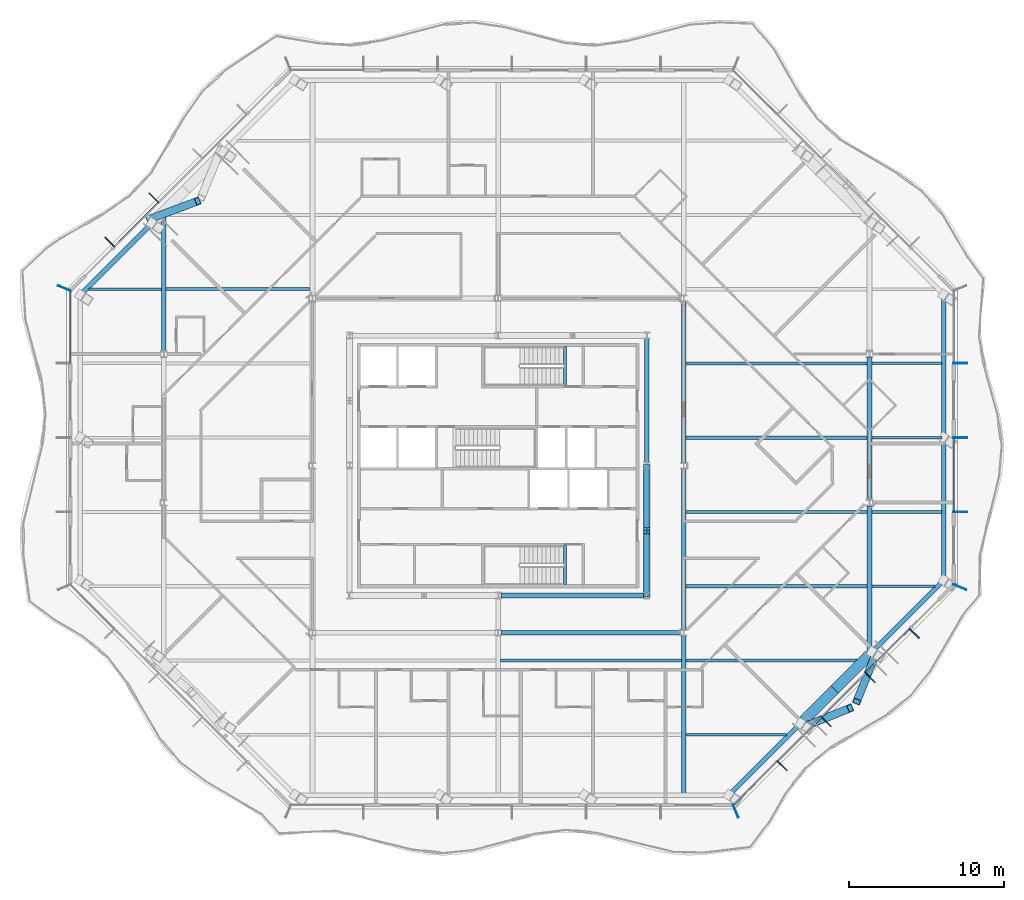
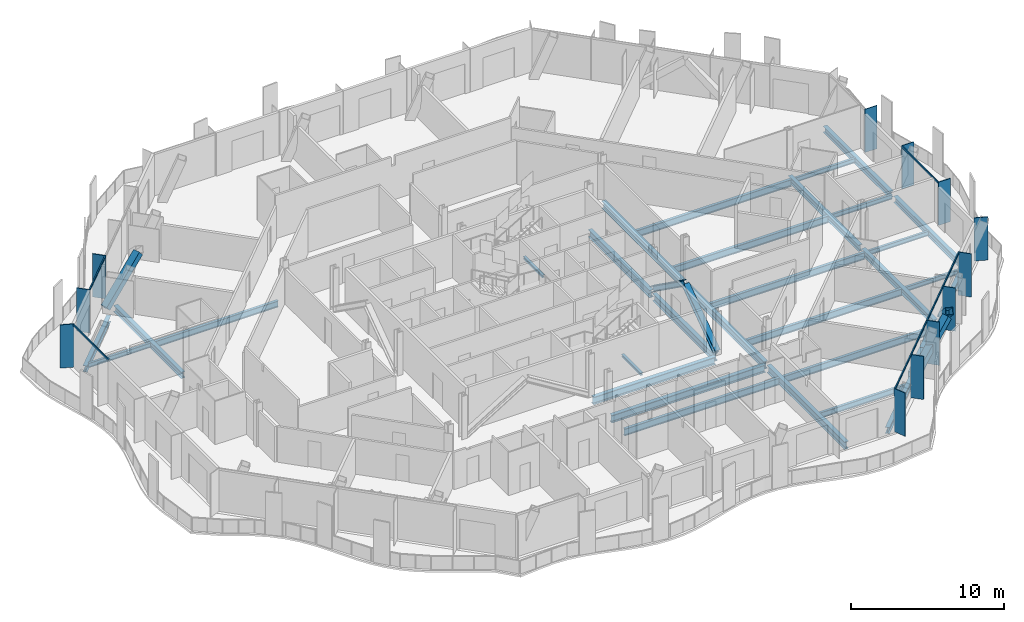
# One storey, part 4 of 21: 32 beams, 24 members, 4 elements without a shape of their own.
"""IFC4 building model written with IfcOpenShell, lengths in metres."""

from ifc_helpers import new_model, si_unit, direction, frame, origin, origin_2d, place, context, subcontext, project, spatial, rectangle, hollow_rectangle, i_section, extrude, material, material_profile, profile_set, type_object, element, aggregate, save


model = new_model("IFC4")

# Units and contexts
model_context = context("Model", 3, precision=1e-05, world=origin(), true_north=direction((0.0, 1.0)))
body_context = subcontext(model_context, "Body", "Model", "MODEL_VIEW")
ifc_project = project(units=[si_unit("LENGTHUNIT", "METRE"), si_unit("AREAUNIT", "SQUARE_METRE"), si_unit("VOLUMEUNIT", "CUBIC_METRE"), si_unit("PLANEANGLEUNIT", "RADIAN"), si_unit("MASSUNIT", "GRAM", prefix="KILO")], contexts=[model_context])

# Site, building, storey
site_placement = place(None, origin())
site = spatial("IfcSite", under=ifc_project, at=site_placement, CompositionType="ELEMENT")
building_placement = place(site_placement, origin())
building = spatial("IfcBuilding", under=site, at=building_placement, Name="Cairn Pilgrim Tower", CompositionType="ELEMENT")
storey_placement = place(building_placement, frame((0.0, 0.0, 179.39990234375)))
storey = spatial("IfcBuildingStorey", under=building, at=storey_placement, Name="L45", CompositionType="ELEMENT", Elevation=179.39990234375)

# Members
ifc_material_1 = material(Name="Structural steel S460M", Category="steel")
ifc_material_profile_1 = material_profile(ifc_material_1, hollow_rectangle(XDim=0.5, YDim=0.5, WallThickness=0.030029296875, at=origin_2d()), Name="BOX 500x500x30")
ifc_profile_set_1 = profile_set([ifc_material_profile_1], Name="Structural steel S460M")
member_type_1 = type_object("IfcMemberType", Name="BOX 500x500x30 BRACE", PredefinedType="BRACE", material=ifc_profile_set_1)
for number, where, z_axis, x_axis, name in (
    (1, (27.0166015625, -14.4560546875, 0.150146484375), (0.716089270228, 0.287769739998, 0.6359282458), (-0.372880357025, 0.92787943147, 0.0), "XB-SE2-SE3-1"),
    (2, (31.555908203125, -9.91650390625, 0.150146484375), (-0.287715115432, -0.716101541701, 0.63593914357), (0.927906129391, -0.372813914761, 0.0), "XB-SE2-SE3-2"),
):
    element("IfcMember", number, at=place(storey_placement, frame(where, z_axis=z_axis, x_axis=x_axis)), inside=storey, type_object=member_type_1, Name=name, PredefinedType="BRACE", context=body_context, shape_type="SweptSolid", body=[
        extrude(hollow_rectangle(XDim=0.5, YDim=0.5, WallThickness=0.030029296875, at=origin_2d()), origin(), (0.0, 0.0, 1.0), 4.099365234375),
    ])
member_1_placement = place(storey_placement, frame((-15.35595703125, 18.316650390625, 0.150146484375), z_axis=(0.737882486029, 0.275960248778, 0.615934556512), x_axis=(-0.350293458392, 0.936640001819, 0.0)))
element("IfcMember", 3, at=member_1_placement, inside=storey, type_object=member_type_1, Name="XB-NW2-NW3-2", PredefinedType="BRACE", context=body_context, shape_type="SweptSolid", body=[
    extrude(hollow_rectangle(XDim=0.5, YDim=0.5, WallThickness=0.030029296875, at=origin_2d()), origin(), (0.0, 0.0, 1.0), 4.25634765625),
])

# Beams
ifc_material_2 = material(Name="Structural steel S355J2", Category="steel")
ifc_material_profile_2 = material_profile(ifc_material_2, hollow_rectangle(XDim=0.699951171875, YDim=0.800048828125, WallThickness=0.0400390625, at=origin_2d()), Name="BOX 700x800x40")
ifc_profile_set_2 = profile_set([ifc_material_profile_2], Name="Structural steel S355J2")
beam_type_1 = type_object("IfcBeamType", Name="BOX 700x800x40 RING GIRDER", PredefinedType="SPANDREL", material=ifc_profile_set_2)
beam_1_placement = place(storey_placement, frame((26.9423828125, -14.084716796875, -0.5498046875), z_axis=(0.707149752034, 0.707063807728, 0.0), x_axis=(-0.707063807728, 0.707149752034, 0.0)))
element("IfcBeam", 4, at=beam_1_placement, inside=storey, type_object=beam_type_1, Name="RG2-SE2-SE3-1", PredefinedType="SPANDREL", context=body_context, shape_type="SweptSolid", body=[
    extrude(hollow_rectangle(XDim=0.699951171875, YDim=0.800048828125, WallThickness=0.0400390625, at=origin_2d()), origin(), (0.0, 0.0, 1.0), 2.840576171875),
])
beam_2_placement = place(storey_placement, frame((28.951171875, -12.076171875, -0.5498046875), z_axis=(0.707068138304, 0.707145421957, 0.0), x_axis=(-0.707145421957, 0.707068138304, 0.0)))
element("IfcBeam", 5, at=beam_2_placement, inside=storey, type_object=beam_type_1, Name="RG2-SE2-SE3-2", PredefinedType="SPANDREL", context=body_context, shape_type="SweptSolid", body=[
    extrude(hollow_rectangle(XDim=0.699951171875, YDim=0.800048828125, WallThickness=0.0400390625, at=origin_2d()), origin(), (0.0, 0.0, 1.0), 3.158935546875),
])

# Curtain wall, members
ifc_material_3 = material(Name="Aluminium alloy 6063-T6 bronze anodised with Bronze tinted laminated low-E glass 8+16+8.8", Category="aluminium")
curtain_wall_type_1 = type_object("IfcCurtainWallType", Name="CHAMFER CORNER CURTAIN WALL", PredefinedType="NOTDEFINED", material=ifc_material_3)
curtain_wall_1_placement = place(storey_placement, origin())
curtain_wall_1 = element("IfcCurtainWall", 6, at=curtain_wall_1_placement, inside=storey, type_object=curtain_wall_type_1, Name="Chamfer Corner Curtain Wall SE", PredefinedType="NOTDEFINED")
ifc_material_4 = material(Name="Aluminium alloy 6063-T6 bronze anodised", Category="aluminium")
ifc_material_profile_3 = material_profile(ifc_material_4, rectangle(XDim=0.89990234375, YDim=0.06005859375, at=origin_2d()), Name="FIN MULLION 60x900 BRONZE")
ifc_profile_set_3 = profile_set([ifc_material_profile_3], Name="Aluminium alloy 6063-T6 bronze anodised")
member_type_2 = type_object("IfcMemberType", Name="FIN MULLION 60x900 BRONZE", PredefinedType="MULLION", material=ifc_profile_set_3)
member_2_placement = place(storey_placement, frame((22.55712890625, -19.93798828125, 0.0), z_axis=(0.0, 0.0, 1.0), x_axis=(0.382683432365, -0.923879532511, 0.0)))
member_2 = element("IfcMember", 7, at=member_2_placement, type_object=member_type_2, Name="Fin mullion SE1", PredefinedType="MULLION", context=body_context, shape_type="SweptSolid", body=[
    extrude(rectangle(XDim=0.89990234375, YDim=0.06005859375, at=origin_2d()), origin(), (0.0, 0.0, 1.0), 3.4501953125),
])
member_3_placement = place(storey_placement, frame((25.544189453125, -16.996337890625, 0.0), z_axis=(0.0, 0.0, 1.0), x_axis=(0.707106781187, -0.707106781187, 0.0)))
member_3 = element("IfcMember", 8, at=member_3_placement, type_object=member_type_2, Name="Fin mullion SE2", PredefinedType="MULLION", context=body_context, shape_type="SweptSolid", body=[
    extrude(rectangle(XDim=0.89990234375, YDim=0.06005859375, at=origin_2d()), origin(), (0.0, 0.0, 1.0), 3.4501953125),
])
member_4_placement = place(storey_placement, frame((28.394775390625, -14.1455078125, 0.0), z_axis=(0.0, 0.0, 1.0), x_axis=(0.707106781187, -0.707106781187, 0.0)))
member_4 = element("IfcMember", 9, at=member_4_placement, type_object=member_type_2, Name="Fin mullion SE3", PredefinedType="MULLION", context=body_context, shape_type="SweptSolid", body=[
    extrude(rectangle(XDim=0.89990234375, YDim=0.06005859375, at=origin_2d()), origin(), (0.0, 0.0, 1.0), 3.4501953125),
])
member_5_placement = place(storey_placement, frame((31.24560546875, -11.294921875, 0.0), z_axis=(0.0, 0.0, 1.0), x_axis=(0.707106781187, -0.707106781187, 0.0)))
member_5 = element("IfcMember", 10, at=member_5_placement, type_object=member_type_2, Name="Fin mullion SE4", PredefinedType="MULLION", context=body_context, shape_type="SweptSolid", body=[
    extrude(rectangle(XDim=0.89990234375, YDim=0.06005859375, at=origin_2d()), origin(), (0.0, 0.0, 1.0), 3.4501953125),
])
member_6_placement = place(storey_placement, frame((34.09619140625, -8.444091796875, 0.0), z_axis=(0.0, 0.0, 1.0), x_axis=(0.707106781187, -0.707106781187, 0.0)))
member_6 = element("IfcMember", 11, at=member_6_placement, type_object=member_type_2, Name="Fin mullion SE5", PredefinedType="MULLION", context=body_context, shape_type="SweptSolid", body=[
    extrude(rectangle(XDim=0.89990234375, YDim=0.06005859375, at=origin_2d()), origin(), (0.0, 0.0, 1.0), 3.4501953125),
])

curtain_wall_type_2 = type_object("IfcCurtainWallType", Name="TOWER STICK CURTAIN WALL EW", PredefinedType="NOTDEFINED", material=ifc_material_3)
curtain_wall_2_placement = place(storey_placement, origin())
curtain_wall_2 = element("IfcCurtainWall", 12, at=curtain_wall_2_placement, inside=storey, type_object=curtain_wall_type_2, Name="Tower Stick Curtain Wall Ew E", PredefinedType="NOTDEFINED")
member_7_placement = place(storey_placement, frame((37.0380859375, -5.457275390625, 0.0), z_axis=(0.0, 0.0, 1.0), x_axis=(0.923879532511, -0.382683432365, 0.0)))
member_7 = element("IfcMember", 13, at=member_7_placement, type_object=member_type_2, Name="Fin mullion E1", PredefinedType="MULLION", context=body_context, shape_type="SweptSolid", body=[
    extrude(rectangle(XDim=0.89990234375, YDim=0.06005859375, at=origin_2d()), origin(), (0.0, 0.0, 1.0), 3.4501953125),
])
member_8_placement = place(storey_placement, frame((37.070068359375, -0.60009765625, 0.0), z_axis=(0.0, 0.0, 1.0), x_axis=(1.0, 0.0, 0.0)))
member_8 = element("IfcMember", 14, at=member_8_placement, type_object=member_type_2, Name="Fin mullion E2", PredefinedType="MULLION", context=body_context, shape_type="SweptSolid", body=[
    extrude(rectangle(XDim=0.89990234375, YDim=0.06005859375, at=origin_2d()), origin(), (0.0, 0.0, 1.0), 3.4501953125),
])
member_9_placement = place(storey_placement, frame((37.070068359375, 4.199951171875, 0.0), z_axis=(0.0, 0.0, 1.0), x_axis=(1.0, 0.0, 0.0)))
member_9 = element("IfcMember", 15, at=member_9_placement, type_object=member_type_2, Name="Fin mullion E3", PredefinedType="MULLION", context=body_context, shape_type="SweptSolid", body=[
    extrude(rectangle(XDim=0.89990234375, YDim=0.06005859375, at=origin_2d()), origin(), (0.0, 0.0, 1.0), 3.4501953125),
])
member_10_placement = place(storey_placement, frame((37.070068359375, 9.0, 0.0), z_axis=(0.0, 0.0, 1.0), x_axis=(1.0, 0.0, 0.0)))
member_10 = element("IfcMember", 16, at=member_10_placement, type_object=member_type_2, Name="Fin mullion E4", PredefinedType="MULLION", context=body_context, shape_type="SweptSolid", body=[
    extrude(rectangle(XDim=0.89990234375, YDim=0.06005859375, at=origin_2d()), origin(), (0.0, 0.0, 1.0), 3.4501953125),
])

curtain_wall_3_placement = place(storey_placement, origin())
curtain_wall_3 = element("IfcCurtainWall", 17, at=curtain_wall_3_placement, inside=storey, type_object=curtain_wall_type_1, Name="Chamfer Corner Curtain Wall NW", PredefinedType="NOTDEFINED")
member_11_placement = place(storey_placement, frame((-15.045654296875, 19.69482421875, 0.0), z_axis=(0.0, 0.0, 1.0), x_axis=(-0.707106781187, 0.707106781187, 0.0)))
member_11 = element("IfcMember", 18, at=member_11_placement, type_object=member_type_2, Name="Fin mullion NW4", PredefinedType="MULLION", context=body_context, shape_type="SweptSolid", body=[
    extrude(rectangle(XDim=0.89990234375, YDim=0.06005859375, at=origin_2d()), origin(), (0.0, 0.0, 1.0), 3.4501953125),
])
member_12_placement = place(storey_placement, frame((-17.896240234375, 16.84423828125, 0.0), z_axis=(0.0, 0.0, 1.0), x_axis=(-0.707106781187, 0.707106781187, 0.0)))
member_12 = element("IfcMember", 19, at=member_12_placement, type_object=member_type_2, Name="Fin mullion NW5", PredefinedType="MULLION", context=body_context, shape_type="SweptSolid", body=[
    extrude(rectangle(XDim=0.89990234375, YDim=0.06005859375, at=origin_2d()), origin(), (0.0, 0.0, 1.0), 3.4501953125),
])

# Curtain wall, member
curtain_wall_4_placement = place(storey_placement, origin())
curtain_wall_4 = element("IfcCurtainWall", 20, at=curtain_wall_4_placement, inside=storey, type_object=curtain_wall_type_2, Name="Tower Stick Curtain Wall Ew W", PredefinedType="NOTDEFINED")
member_13_placement = place(storey_placement, frame((-20.838134765625, 13.857177734375, 0.0), z_axis=(0.0, 0.0, 1.0), x_axis=(-0.923879532511, 0.382683432365, 0.0)))
member_13 = element("IfcMember", 21, at=member_13_placement, type_object=member_type_2, Name="Fin mullion W1", PredefinedType="MULLION", context=body_context, shape_type="SweptSolid", body=[
    extrude(rectangle(XDim=0.89990234375, YDim=0.06005859375, at=origin_2d()), origin(), (0.0, 0.0, 1.0), 3.4501953125),
])

# Members
ifc_material_profile_4 = material_profile(ifc_material_1, i_section(OverallWidth=0.408935546875, OverallDepth=0.425048828125, WebThickness=0.03271484375, FlangeThickness=0.052490234375, FilletRadius=0.014892578125, at=origin_2d()), Name="HD 400x421")
ifc_profile_set_4 = profile_set([ifc_material_profile_4], Name="Structural steel S460M")
member_type_3 = type_object("IfcMemberType", Name="HD 400x421 BRACE", PredefinedType="BRACE", material=ifc_profile_set_4)
member_14_placement = place(storey_placement, frame((16.800048828125, -5.95849609375, 0.10009765625), z_axis=(0.0, 0.814346882511, 0.580378458373), x_axis=(-1.0, 0.0, 0.0)))
element("IfcMember", 22, at=member_14_placement, inside=storey, type_object=member_type_3, Name="KB-2A", PredefinedType="BRACE", context=body_context, shape_type="SweptSolid", body=[
    extrude(i_section(OverallWidth=0.408935546875, OverallDepth=0.425048828125, WebThickness=0.03271484375, FlangeThickness=0.052490234375, FilletRadius=0.014892578125, at=origin_2d()), origin(), (0.0, 0.0, 1.0), 4.998291015625),
])
member_15_placement = place(storey_placement, frame((16.800048828125, 2.3583984375, 0.10009765625), z_axis=(0.0, -0.81433042856, 0.580401544727), x_axis=(1.0, 0.0, 0.0)))
element("IfcMember", 23, at=member_15_placement, inside=storey, type_object=member_type_3, Name="KB-2B", PredefinedType="BRACE", context=body_context, shape_type="SweptSolid", body=[
    extrude(i_section(OverallWidth=0.408935546875, OverallDepth=0.425048828125, WebThickness=0.03271484375, FlangeThickness=0.052490234375, FilletRadius=0.014892578125, at=origin_2d()), origin(), (0.0, 0.0, 1.0), 4.998046875),
])

# Beams
ifc_material_profile_5 = material_profile(ifc_material_2, i_section(OverallWidth=0.300048828125, OverallDepth=0.5, WebThickness=0.014404296875, FlangeThickness=0.028076171875, FilletRadius=0.027099609375, at=origin_2d()), Name="HEB 500")
ifc_profile_set_5 = profile_set([ifc_material_profile_5], Name="Structural steel S355J2")
beam_type_2 = type_object("IfcBeamType", Name="HEB 500 GIRDER", PredefinedType="BEAM", material=ifc_profile_set_5)
beam_3_placement = place(storey_placement, frame((-14.39990234375, 9.799560546875, -0.39990234375), z_axis=(0.0, 1.0, 0.0), x_axis=(-1.0, 0.0, 0.0)))
element("IfcBeam", 24, at=beam_3_placement, inside=storey, type_object=beam_type_2, Name="PG1-3", PredefinedType="BEAM", context=body_context, shape_type="SweptSolid", body=[
    extrude(i_section(OverallWidth=0.300048828125, OverallDepth=0.5, WebThickness=0.014404296875, FlangeThickness=0.028076171875, FilletRadius=0.027099609375, at=origin_2d()), origin(), (0.0, 0.0, 1.0), 8.845458984375),
])
beam_4_placement = place(storey_placement, frame((31.199951171875, -9.64501953125, -0.39990234375), z_axis=(0.0, 1.0, 0.0), x_axis=(-1.0, 0.0, 0.0)))
element("IfcBeam", 25, at=beam_4_placement, inside=storey, type_object=beam_type_2, Name="PG5-1", PredefinedType="BEAM", context=body_context, shape_type="SweptSolid", body=[
    extrude(i_section(OverallWidth=0.300048828125, OverallDepth=0.5, WebThickness=0.014404296875, FlangeThickness=0.028076171875, FilletRadius=0.027099609375, at=origin_2d()), origin(), (0.0, 0.0, 1.0), 9.4404296875),
])
beam_5_placement = place(storey_placement, frame((31.199951171875, 0.20458984375, -0.39990234375), z_axis=(0.0, 1.0, 0.0), x_axis=(-1.0, 0.0, 0.0)))
element("IfcBeam", 26, at=beam_5_placement, inside=storey, type_object=beam_type_2, Name="PG5-2", PredefinedType="BEAM", context=body_context, shape_type="SweptSolid", body=[
    extrude(i_section(OverallWidth=0.300048828125, OverallDepth=0.5, WebThickness=0.014404296875, FlangeThickness=0.028076171875, FilletRadius=0.027099609375, at=origin_2d()), origin(), (0.0, 0.0, 1.0), 9.19091796875),
])
ifc_material_profile_6 = material_profile(ifc_material_2, i_section(OverallWidth=0.300048828125, OverallDepth=0.5, WebThickness=0.014404296875, FlangeThickness=0.028076171875, FilletRadius=0.027099609375, at=origin_2d()), Name="HEB 500")
ifc_profile_set_6 = profile_set([ifc_material_profile_6], Name="Structural steel S355J2")
beam_type_3 = type_object("IfcBeamType", Name="HEB 500 RING GIRDER", PredefinedType="SPANDREL", material=ifc_profile_set_6)
beam_6_placement = place(storey_placement, frame((22.318115234375, -18.708984375, -0.39990234375), z_axis=(0.707127127534, 0.707086434254, 0.0), x_axis=(-0.707086434254, 0.707127127534, 0.0)))
element("IfcBeam", 27, at=beam_6_placement, inside=storey, type_object=beam_type_3, Name="RG2-SE1-SE2", PredefinedType="SPANDREL", context=body_context, shape_type="SweptSolid", body=[
    extrude(i_section(OverallWidth=0.300048828125, OverallDepth=0.5, WebThickness=0.014404296875, FlangeThickness=0.028076171875, FilletRadius=0.027099609375, at=origin_2d()), origin(), (0.0, 0.0, 1.0), 5.99951171875),
])
beam_7_placement = place(storey_placement, frame((31.566650390625, -9.460693359375, -0.39990234375), z_axis=(0.707086435425, 0.707127126363, 0.0), x_axis=(-0.707127126363, 0.707086435425, 0.0)))
element("IfcBeam", 28, at=beam_7_placement, inside=storey, type_object=beam_type_3, Name="RG2-SE3-E1", PredefinedType="SPANDREL", context=body_context, shape_type="SweptSolid", body=[
    extrude(i_section(OverallWidth=0.300048828125, OverallDepth=0.5, WebThickness=0.014404296875, FlangeThickness=0.028076171875, FilletRadius=0.027099609375, at=origin_2d()), origin(), (0.0, 0.0, 1.0), 5.999755859375),
])
beam_8_placement = place(storey_placement, frame((36.0, -4.757080078125, -0.39990234375), z_axis=(0.0, 1.0, 0.0), x_axis=(-1.0, 0.0, 0.0)))
element("IfcBeam", 29, at=beam_8_placement, inside=storey, type_object=beam_type_3, Name="RG2-E1-E2", PredefinedType="SPANDREL", context=body_context, shape_type="SweptSolid", body=[
    extrude(i_section(OverallWidth=0.300048828125, OverallDepth=0.5, WebThickness=0.014404296875, FlangeThickness=0.028076171875, FilletRadius=0.027099609375, at=origin_2d()), origin(), (0.0, 0.0, 1.0), 8.68701171875),
])
beam_9_placement = place(storey_placement, frame((36.0, 4.469970703125, -0.39990234375), z_axis=(0.0, 1.0, 0.0), x_axis=(-1.0, 0.0, 0.0)))
element("IfcBeam", 30, at=beam_9_placement, inside=storey, type_object=beam_type_3, Name="RG2-E2-NE1", PredefinedType="SPANDREL", context=body_context, shape_type="SweptSolid", body=[
    extrude(i_section(OverallWidth=0.300048828125, OverallDepth=0.5, WebThickness=0.014404296875, FlangeThickness=0.028076171875, FilletRadius=0.027099609375, at=origin_2d()), origin(), (0.0, 0.0, 1.0), 8.687255859375),
])
beam_10_placement = place(storey_placement, frame((-15.36669921875, 17.860595703125, -0.39990234375), z_axis=(-0.707106781187, -0.707106781187, 0.0), x_axis=(0.707106781187, -0.707106781187, 0.0)))
element("IfcBeam", 31, at=beam_10_placement, inside=storey, type_object=beam_type_3, Name="RG2-NW3-W1", PredefinedType="SPANDREL", context=body_context, shape_type="SweptSolid", body=[
    extrude(i_section(OverallWidth=0.300048828125, OverallDepth=0.5, WebThickness=0.014404296875, FlangeThickness=0.028076171875, FilletRadius=0.027099609375, at=origin_2d()), origin(), (0.0, 0.0, 1.0), 5.999755859375),
])
ifc_material_profile_7 = material_profile(ifc_material_2, i_section(OverallWidth=0.300048828125, OverallDepth=0.60009765625, WebThickness=0.015380859375, FlangeThickness=0.030029296875, FilletRadius=0.027099609375, at=origin_2d()), Name="HEB 600")
ifc_profile_set_7 = profile_set([ifc_material_profile_7], Name="Structural steel S355J2")
beam_type_4 = type_object("IfcBeamType", Name="HEB 600 CORE BEAM", PredefinedType="BEAM", material=ifc_profile_set_7)
beam_11_placement = place(storey_placement, frame((7.38720703125, -6.0, -0.449951171875), z_axis=(1.0, 0.0, 0.0), x_axis=(0.0, 1.0, 0.0)))
element("IfcBeam", 32, at=beam_11_placement, inside=storey, type_object=beam_type_4, Name="CB-2", PredefinedType="BEAM", context=body_context, shape_type="SweptSolid", body=[
    extrude(i_section(OverallWidth=0.300048828125, OverallDepth=0.60009765625, WebThickness=0.015380859375, FlangeThickness=0.030029296875, FilletRadius=0.027099609375, at=origin_2d()), origin(), (0.0, 0.0, 1.0), 9.2255859375),
])
for number, where, z_axis, x_axis, name in (
    (33, (16.800048828125, -5.812744140625, -0.449951171875), (0.0, 1.0, 0.0), (-1.0, 0.0, 0.0), "CB-3"),
    (34, (16.800048828125, 2.587158203125, -0.449951171875), (0.0, 1.0, 0.0), (-1.0, 0.0, 0.0), "CB-4"),
):
    element("IfcBeam", number, at=place(storey_placement, frame(where, z_axis=z_axis, x_axis=x_axis)), inside=storey, type_object=beam_type_4, Name=name, PredefinedType="BEAM", context=body_context, shape_type="SweptSolid", body=[
        extrude(i_section(OverallWidth=0.300048828125, OverallDepth=0.60009765625, WebThickness=0.015380859375, FlangeThickness=0.030029296875, FilletRadius=0.027099609375, at=origin_2d()), origin(), (0.0, 0.0, 1.0), 8.025634765625),
    ])
ifc_material_profile_8 = material_profile(ifc_material_2, i_section(OverallWidth=0.300048828125, OverallDepth=0.60009765625, WebThickness=0.015380859375, FlangeThickness=0.030029296875, FilletRadius=0.027099609375, at=origin_2d()), Name="HEB 600")
ifc_profile_set_8 = profile_set([ifc_material_profile_8], Name="Structural steel S355J2")
beam_type_5 = type_object("IfcBeamType", Name="HEB 600 GIRDER", PredefinedType="BEAM", material=ifc_profile_set_8)
beam_12_placement = place(storey_placement, frame((19.199951171875, -18.780029296875, -0.449951171875), z_axis=(0.0, 1.0, 0.0), x_axis=(-1.0, 0.0, 0.0)))
element("IfcBeam", 35, at=beam_12_placement, inside=storey, type_object=beam_type_5, Name="PG4-1", PredefinedType="BEAM", context=body_context, shape_type="SweptSolid", body=[
    extrude(i_section(OverallWidth=0.300048828125, OverallDepth=0.60009765625, WebThickness=0.015380859375, FlangeThickness=0.030029296875, FilletRadius=0.027099609375, at=origin_2d()), origin(), (0.0, 0.0, 1.0), 10.180419921875),
])
for number, where, z_axis, x_axis, name in (
    (36, (19.199951171875, -8.200439453125, -0.449951171875), (0.0, 1.0, 0.0), (-1.0, 0.0, 0.0), "PG4-2"),
    (37, (19.199951171875, 2.599609375, -0.449951171875), (0.0, 1.0, 0.0), (-1.0, 0.0, 0.0), "PG4-3"),
):
    element("IfcBeam", number, at=place(storey_placement, frame(where, z_axis=z_axis, x_axis=x_axis)), inside=storey, type_object=beam_type_5, Name=name, PredefinedType="BEAM", context=body_context, shape_type="SweptSolid", body=[
        extrude(i_section(OverallWidth=0.300048828125, OverallDepth=0.60009765625, WebThickness=0.015380859375, FlangeThickness=0.030029296875, FilletRadius=0.027099609375, at=origin_2d()), origin(), (0.0, 0.0, 1.0), 10.40087890625),
    ])
ifc_material_profile_9 = material_profile(ifc_material_2, i_section(OverallWidth=0.300048828125, OverallDepth=0.60009765625, WebThickness=0.015380859375, FlangeThickness=0.030029296875, FilletRadius=0.027099609375, at=origin_2d()), Name="HEB 600")
ifc_profile_set_9 = profile_set([ifc_material_profile_9], Name="Structural steel S355J2")
beam_type_6 = type_object("IfcBeamType", Name="HEB 600 INNER GIRDER", PredefinedType="BEAM", material=ifc_profile_set_9)
beam_13_placement = place(storey_placement, frame((7.3994140625, -8.39990234375, -0.449951171875), z_axis=(1.0, 0.0, 0.0), x_axis=(0.0, 1.0, 0.0)))
element("IfcBeam", 38, at=beam_13_placement, inside=storey, type_object=beam_type_6, Name="IG1-2", PredefinedType="BEAM", context=body_context, shape_type="SweptSolid", body=[
    extrude(i_section(OverallWidth=0.300048828125, OverallDepth=0.60009765625, WebThickness=0.015380859375, FlangeThickness=0.030029296875, FilletRadius=0.027099609375, at=origin_2d()), origin(), (0.0, 0.0, 1.0), 11.60107421875),
])
ifc_material_profile_10 = material_profile(ifc_material_2, i_section(OverallWidth=0.169921875, OverallDepth=0.360107421875, WebThickness=0.008056640625, FlangeThickness=0.0126953125, FilletRadius=0.01806640625, at=origin_2d()), Name="IPE 360")
ifc_profile_set_10 = profile_set([ifc_material_profile_10], Name="Structural steel S355J2")
beam_type_7 = type_object("IfcBeamType", Name="IPE 360 SECONDARY BEAM", PredefinedType="JOIST", material=ifc_profile_set_10)
beam_14_placement = place(storey_placement, frame((31.35009765625, -5.39990234375, -0.329833984375), z_axis=(1.0, 0.0, 0.0), x_axis=(0.0, 1.0, 0.0)))
element("IfcBeam", 39, at=beam_14_placement, inside=storey, type_object=beam_type_7, Name="SB3-4", PredefinedType="JOIST", context=body_context, shape_type="SweptSolid", body=[
    extrude(i_section(OverallWidth=0.169921875, OverallDepth=0.360107421875, WebThickness=0.008056640625, FlangeThickness=0.0126953125, FilletRadius=0.01806640625, at=origin_2d()), origin(), (0.0, 0.0, 1.0), 4.094970703125),
])
for number, where, z_axis, x_axis, name in (
    (40, (31.35009765625, -0.60009765625, -0.329833984375), (1.0, 0.0, 0.0), (0.0, 1.0, 0.0), "SB4-4"),
    (41, (31.35009765625, 4.199951171875, -0.329833984375), (1.0, 0.0, 0.0), (0.0, 1.0, 0.0), "SB5-4"),
    (42, (31.35009765625, 9.0, -0.329833984375), (1.0, 0.0, 0.0), (0.0, 1.0, 0.0), "SB6-4"),
):
    element("IfcBeam", number, at=place(storey_placement, frame(where, z_axis=z_axis, x_axis=x_axis)), inside=storey, type_object=beam_type_7, Name=name, PredefinedType="JOIST", context=body_context, shape_type="SweptSolid", body=[
        extrude(i_section(OverallWidth=0.169921875, OverallDepth=0.360107421875, WebThickness=0.008056640625, FlangeThickness=0.0126953125, FilletRadius=0.01806640625, at=origin_2d()), origin(), (0.0, 0.0, 1.0), 4.52978515625),
    ])
beam_15_placement = place(storey_placement, frame((-19.2451171875, 13.800048828125, -0.329833984375), z_axis=(1.0, 0.0, 0.0), x_axis=(0.0, 1.0, 0.0)))
element("IfcBeam", 43, at=beam_15_placement, inside=storey, type_object=beam_type_7, Name="SB7-1", PredefinedType="JOIST", context=body_context, shape_type="SweptSolid", body=[
    extrude(i_section(OverallWidth=0.169921875, OverallDepth=0.360107421875, WebThickness=0.008056640625, FlangeThickness=0.0126953125, FilletRadius=0.01806640625, at=origin_2d()), origin(), (0.0, 0.0, 1.0), 4.695068359375),
])
ifc_material_profile_11 = material_profile(ifc_material_2, i_section(OverallWidth=0.18994140625, OverallDepth=0.449951171875, WebThickness=0.009521484375, FlangeThickness=0.0146484375, FilletRadius=0.02099609375, at=origin_2d()), Name="IPE 450")
ifc_profile_set_11 = profile_set([ifc_material_profile_11], Name="Structural steel S355J2")
beam_type_8 = type_object("IfcBeamType", Name="IPE 450 SECONDARY BEAM", PredefinedType="JOIST", material=ifc_profile_set_11)
beam_16_placement = place(storey_placement, frame((19.35009765625, -15.0, -0.375), z_axis=(1.0, 0.0, 0.0), x_axis=(0.0, 1.0, 0.0)))
element("IfcBeam", 44, at=beam_16_placement, inside=storey, type_object=beam_type_8, Name="SB1-4", PredefinedType="JOIST", context=body_context, shape_type="SweptSolid", body=[
    extrude(i_section(OverallWidth=0.18994140625, OverallDepth=0.449951171875, WebThickness=0.009521484375, FlangeThickness=0.0146484375, FilletRadius=0.02099609375, at=origin_2d()), origin(), (0.0, 0.0, 1.0), 6.4951171875),
])
ifc_material_profile_12 = material_profile(ifc_material_2, i_section(OverallWidth=0.199951171875, OverallDepth=0.5, WebThickness=0.01025390625, FlangeThickness=0.01611328125, FilletRadius=0.02099609375, at=origin_2d()), Name="IPE 500")
ifc_profile_set_12 = profile_set([ifc_material_profile_12], Name="Structural steel S355J2")
beam_type_9 = type_object("IfcBeamType", Name="IPE 500 SECONDARY BEAM", PredefinedType="JOIST", material=ifc_profile_set_12)
beam_17_placement = place(storey_placement, frame((-14.25, 13.800048828125, -0.39990234375), z_axis=(1.0, 0.0, 0.0), x_axis=(0.0, 1.0, 0.0)))
element("IfcBeam", 45, at=beam_17_placement, inside=storey, type_object=beam_type_9, Name="SB7-2", PredefinedType="JOIST", context=body_context, shape_type="SweptSolid", body=[
    extrude(i_section(OverallWidth=0.199951171875, OverallDepth=0.5, WebThickness=0.01025390625, FlangeThickness=0.01611328125, FilletRadius=0.02099609375, at=origin_2d()), origin(), (0.0, 0.0, 1.0), 9.300048828125),
])
ifc_material_profile_13 = material_profile(ifc_material_2, i_section(OverallWidth=0.2099609375, OverallDepth=0.550048828125, WebThickness=0.010986328125, FlangeThickness=0.01708984375, FilletRadius=0.02392578125, at=origin_2d()), Name="IPE 550")
ifc_profile_set_13 = profile_set([ifc_material_profile_13], Name="Structural steel S355J2")
beam_type_10 = type_object("IfcBeamType", Name="IPE 550 SECONDARY BEAM", PredefinedType="JOIST", material=ifc_profile_set_13)
beam_18_placement = place(storey_placement, frame((7.35009765625, -10.199951171875, -0.4248046875), z_axis=(1.0, 0.0, 0.0), x_axis=(0.0, 1.0, 0.0)))
element("IfcBeam", 46, at=beam_18_placement, inside=storey, type_object=beam_type_10, Name="SB2-3", PredefinedType="JOIST", context=body_context, shape_type="SweptSolid", body=[
    extrude(i_section(OverallWidth=0.2099609375, OverallDepth=0.550048828125, WebThickness=0.010986328125, FlangeThickness=0.01708984375, FilletRadius=0.02392578125, at=origin_2d()), origin(), (0.0, 0.0, 1.0), 11.699951171875),
])
beam_19_placement = place(storey_placement, frame((19.35009765625, -10.199951171875, -0.4248046875), z_axis=(1.0, 0.0, 0.0), x_axis=(0.0, 1.0, 0.0)))
element("IfcBeam", 47, at=beam_19_placement, inside=storey, type_object=beam_type_10, Name="SB2-4", PredefinedType="JOIST", context=body_context, shape_type="SweptSolid", body=[
    extrude(i_section(OverallWidth=0.2099609375, OverallDepth=0.550048828125, WebThickness=0.010986328125, FlangeThickness=0.01708984375, FilletRadius=0.02392578125, at=origin_2d()), origin(), (0.0, 0.0, 1.0), 11.294921875),
])
for number, where, z_axis, x_axis, name in (
    (48, (19.35009765625, -5.39990234375, -0.4248046875), (1.0, 0.0, 0.0), (0.0, 1.0, 0.0), "SB3-3"),
    (49, (19.35009765625, -0.60009765625, -0.4248046875), (1.0, 0.0, 0.0), (0.0, 1.0, 0.0), "SB4-3"),
    (50, (19.35009765625, 4.199951171875, -0.4248046875), (1.0, 0.0, 0.0), (0.0, 1.0, 0.0), "SB5-3"),
    (51, (19.35009765625, 9.0, -0.4248046875), (1.0, 0.0, 0.0), (0.0, 1.0, 0.0), "SB6-3"),
):
    element("IfcBeam", number, at=place(storey_placement, frame(where, z_axis=z_axis, x_axis=x_axis)), inside=storey, type_object=beam_type_10, Name=name, PredefinedType="JOIST", context=body_context, shape_type="SweptSolid", body=[
        extrude(i_section(OverallWidth=0.2099609375, OverallDepth=0.550048828125, WebThickness=0.010986328125, FlangeThickness=0.01708984375, FilletRadius=0.02392578125, at=origin_2d()), origin(), (0.0, 0.0, 1.0), 11.699951171875),
    ])
ifc_material_profile_14 = material_profile(ifc_material_2, i_section(OverallWidth=0.199951171875, OverallDepth=0.199951171875, WebThickness=0.009033203125, FlangeThickness=0.014892578125, FilletRadius=0.01806640625, at=origin_2d()), Name="HE 200 B")
ifc_profile_set_14 = profile_set([ifc_material_profile_14], Name="Structural steel S355J2")
beam_type_11 = type_object("IfcBeamType", Name="STAIR LANDING BEAM HE 200 B", PredefinedType="BEAM", material=ifc_profile_set_14)
for number, where, z_axis, x_axis, name in (
    (52, (11.5244140625, -2.77490234375, -0.25), (0.0, -1.0, 0.0), (1.0, 0.0, 0.0), "STAIR LANDING BEAM LD-HE200B"),
    (53, (11.5244140625, 10.10009765625, -0.25), (0.0, -1.0, 0.0), (1.0, 0.0, 0.0), "STAIR LANDING BEAM LD-HE200B"),
):
    element("IfcBeam", number, at=place(storey_placement, frame(where, z_axis=z_axis, x_axis=x_axis)), inside=storey, type_object=beam_type_11, Name=name, PredefinedType="BEAM", context=body_context, shape_type="SweptSolid", body=[
        extrude(i_section(OverallWidth=0.199951171875, OverallDepth=0.199951171875, WebThickness=0.009033203125, FlangeThickness=0.014892578125, FilletRadius=0.01806640625, at=origin_2d()), origin(), (0.0, 0.0, 1.0), 2.525146484375),
    ])

# Member
ifc_material_profile_15 = material_profile(ifc_material_4, rectangle(XDim=0.080078125, YDim=0.14990234375, at=origin_2d()), Name="TRANSOM 80x150 BRONZE")
ifc_profile_set_15 = profile_set([ifc_material_profile_15], Name="Aluminium alloy 6063-T6 bronze anodised")
member_type_4 = type_object("IfcMemberType", Name="TRANSOM 80x150 BRONZE", PredefinedType="USERDEFINED", material=ifc_profile_set_15)
member_16_placement = place(storey_placement, frame((22.4248046875, -19.521728515625, 3.375), z_axis=(0.707075965734, 0.707137595296, 0.0), x_axis=(-0.707137595296, 0.707075965734, 0.0)))
member_16 = element("IfcMember", 54, at=member_16_placement, type_object=member_type_4, Name="Transom SE1", ObjectType="TRANSOM", PredefinedType="USERDEFINED", context=body_context, shape_type="SweptSolid", body=[
    extrude(rectangle(XDim=0.080078125, YDim=0.14990234375, at=origin_2d()), origin(), (0.0, 0.0, 1.0), 3.96142578125),
])

member_17_placement = place(storey_placement, frame((25.268310546875, -16.677978515625, 3.375), z_axis=(0.70713751761, 0.707076043427, 0.0), x_axis=(-0.707076043427, 0.70713751761, 0.0)))
member_17 = element("IfcMember", 55, at=member_17_placement, type_object=member_type_4, Name="Transom SE2", ObjectType="TRANSOM", PredefinedType="USERDEFINED", context=body_context, shape_type="SweptSolid", body=[
    extrude(rectangle(XDim=0.080078125, YDim=0.14990234375, at=origin_2d()), origin(), (0.0, 0.0, 1.0), 3.971435546875),
])

member_18_placement = place(storey_placement, frame((28.119140625, -13.827392578125, 3.375), z_axis=(0.707076043427, 0.70713751761, 0.0), x_axis=(-0.70713751761, 0.707076043427, 0.0)))
member_18 = element("IfcMember", 56, at=member_18_placement, type_object=member_type_4, Name="Transom SE3", ObjectType="TRANSOM", PredefinedType="USERDEFINED", context=body_context, shape_type="SweptSolid", body=[
    extrude(rectangle(XDim=0.080078125, YDim=0.14990234375, at=origin_2d()), origin(), (0.0, 0.0, 1.0), 3.971435546875),
])

member_19_placement = place(storey_placement, frame((30.9697265625, -10.9765625, 3.375), z_axis=(0.70713751761, 0.707076043427, 0.0), x_axis=(-0.707076043427, 0.70713751761, 0.0)))
member_19 = element("IfcMember", 57, at=member_19_placement, type_object=member_type_4, Name="Transom SE4", ObjectType="TRANSOM", PredefinedType="USERDEFINED", context=body_context, shape_type="SweptSolid", body=[
    extrude(rectangle(XDim=0.080078125, YDim=0.14990234375, at=origin_2d()), origin(), (0.0, 0.0, 1.0), 3.971435546875),
])

aggregate(curtain_wall_1, [member_2, member_3, member_4, member_5, member_6, member_16, member_17, member_18, member_19])

member_20_placement = place(storey_placement, frame((36.64990234375, -0.570068359375, 3.375), z_axis=(0.0, 1.0, 0.0), x_axis=(-1.0, 0.0, 0.0)))
member_20 = element("IfcMember", 58, at=member_20_placement, type_object=member_type_4, Name="Transom E2", ObjectType="TRANSOM", PredefinedType="USERDEFINED", context=body_context, shape_type="SweptSolid", body=[
    extrude(rectangle(XDim=0.080078125, YDim=0.14990234375, at=origin_2d()), origin(), (0.0, 0.0, 1.0), 4.739990234375),
])

aggregate(curtain_wall_2, [member_7, member_8, member_9, member_10, member_20])

member_21_placement = place(storey_placement, frame((-14.769775390625, 19.376708984375, 3.375), z_axis=(-0.707106781187, -0.707106781187, 0.0), x_axis=(0.707106781187, -0.707106781187, 0.0)))
member_21 = element("IfcMember", 59, at=member_21_placement, type_object=member_type_4, Name="Transom NW4", ObjectType="TRANSOM", PredefinedType="USERDEFINED", context=body_context, shape_type="SweptSolid", body=[
    extrude(rectangle(XDim=0.080078125, YDim=0.14990234375, at=origin_2d()), origin(), (0.0, 0.0, 1.0), 3.9716796875),
])

aggregate(curtain_wall_3, [member_11, member_12, member_21])

member_22_placement = place(storey_placement, frame((-20.449951171875, 13.656494140625, 3.375), z_axis=(0.0, -1.0, 0.0), x_axis=(1.0, 0.0, 0.0)))
member_22 = element("IfcMember", 60, at=member_22_placement, type_object=member_type_4, Name="Transom W1", ObjectType="TRANSOM", PredefinedType="USERDEFINED", context=body_context, shape_type="SweptSolid", body=[
    extrude(rectangle(XDim=0.080078125, YDim=0.14990234375, at=origin_2d()), origin(), (0.0, 0.0, 1.0), 4.62646484375),
])

aggregate(curtain_wall_4, [member_13, member_22])

save(model, "model.ifc")
